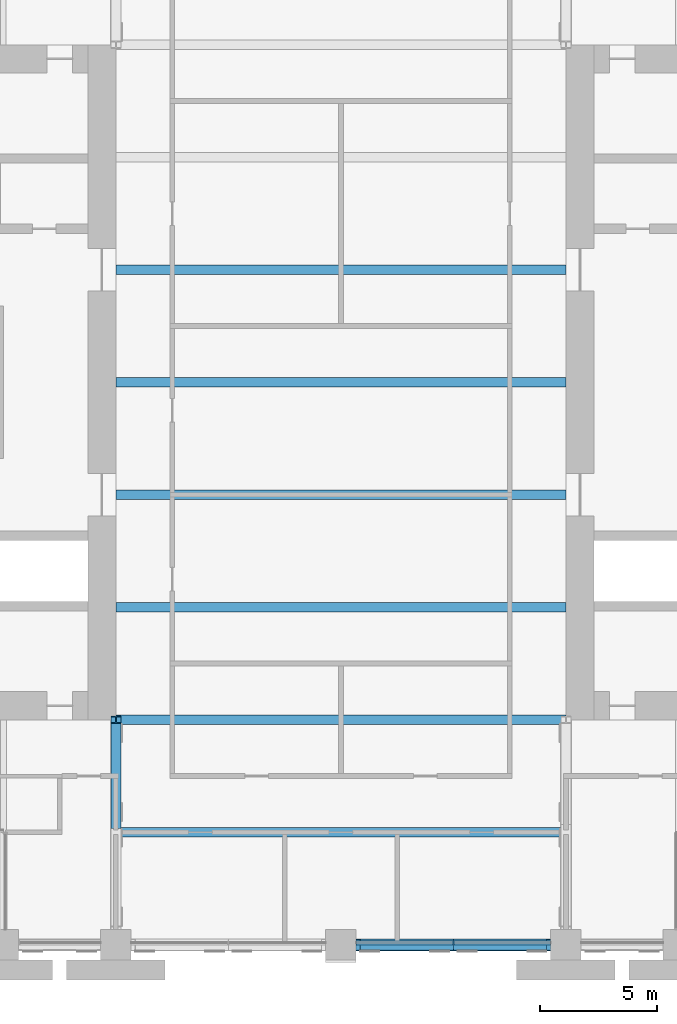
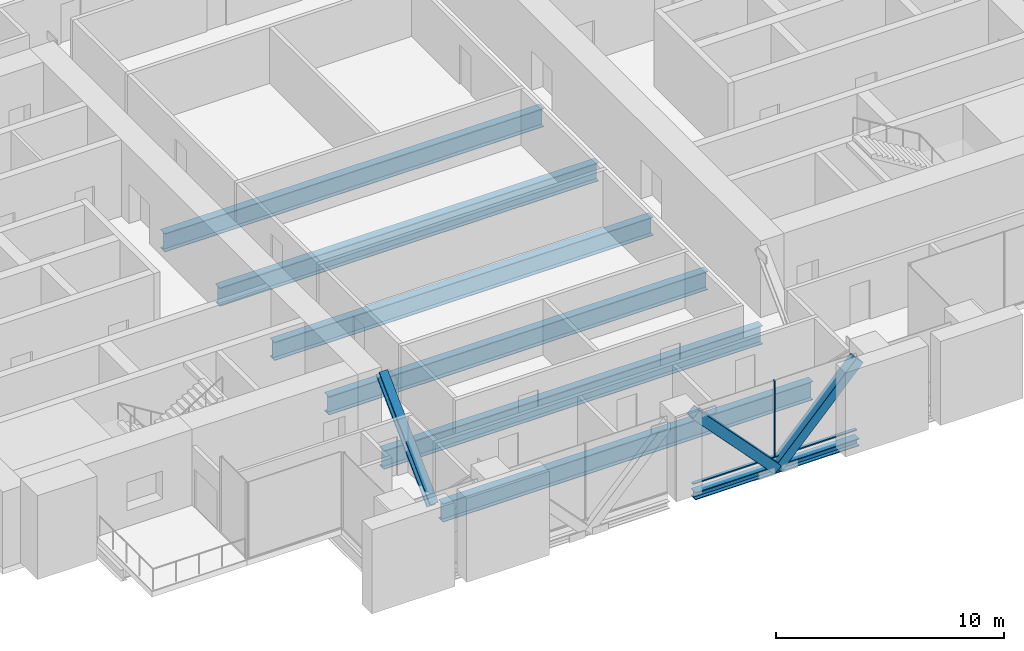
# One storey, part 3 of 15: 7 beams, 5 members, 1 element without a shape of its own.
"""IFC4 building model written with IfcOpenShell, lengths in metres."""

import ifcopenshell
import ifcopenshell.guid

model = None  # the IFC model being written
_history = None  # IfcOwnerHistory: only IFC2X3 demands one
_inside = {}  # id of a spatial element -> (the spatial element, [elements in it])
_under = {}  # id of a project, library or spatial element -> (it, [spatial elements below it])
_declared = {}  # id of a project -> (the project, [libraries it declares])
_typed = {}  # id of a type object -> (the type object, [elements of that type])
_made_of = {}  # id of a material, layer set ... -> (it, [elements and type objects made of it])


def new_model(schema):
    """Start an empty IFC model of exactly this schema.

    Asked for "IFC4X3", IfcOpenShell would pick the latest addendum, in which some entities
    have other attributes; the version numbers below select the first issue.
    IFC2X3 requires an IfcOwnerHistory on every rooted entity: one is made here for all.
    """
    global model, _history
    if schema == "IFC4X3":
        model = ifcopenshell.file(schema_version=(4, 3, 0, 0))
    else:
        model = ifcopenshell.file(schema=schema)
    _inside.clear()
    _under.clear()
    _declared.clear()
    _typed.clear()
    _made_of.clear()
    _history = None
    if model.schema == "IFC2X3":
        org = make("IfcOrganization", Name="unknown")
        user = make(
            "IfcPersonAndOrganization",
            ThePerson=make("IfcPerson", FamilyName="unknown"),
            TheOrganization=org,
        )
        app = make(
            "IfcApplication",
            ApplicationDeveloper=org,
            Version="unknown",
            ApplicationFullName="unknown",
            ApplicationIdentifier="unknown",
        )
        _history = make(
            "IfcOwnerHistory",
            OwningUser=user,
            OwningApplication=app,
            ChangeAction="ADDED",
            CreationDate=0,
        )
    return model


def make(cls, **values):
    """One entity of the class cls with the attributes given. An attribute that is None is left unset."""
    return model.create_entity(
        cls, **{name: value for name, value in values.items() if value is not None}
    )


def rooted(cls, **values):
    """An entity with a GlobalId (a new one), such as an element, a storey or a relation."""
    return make(cls, GlobalId=ifcopenshell.guid.new(), OwnerHistory=_history, **values)


def si_unit(unit_type, name, prefix=None):
    """IfcSIUnit, for example si_unit("LENGTHUNIT", "METRE", prefix="MILLI")."""
    return make("IfcSIUnit", UnitType=unit_type, Prefix=prefix, Name=name)


def assignment(units):
    """IfcUnitAssignment: the units of a project."""
    return None if units is None else make("IfcUnitAssignment", Units=units)


def point(xyz):
    """IfcCartesianPoint."""
    return None if xyz is None else make("IfcCartesianPoint", Coordinates=xyz)


def direction(xyz):
    """IfcDirection."""
    return None if xyz is None else make("IfcDirection", DirectionRatios=xyz)


def frame(location, z_axis=None, x_axis=None):
    """IfcAxis2Placement3D, a coordinate frame: its origin and axes. An axis left out is left unset."""
    return make(
        "IfcAxis2Placement3D",
        Location=point(location),
        Axis=direction(z_axis),
        RefDirection=direction(x_axis),
    )


def frame_2d(location, x_axis=None):
    """IfcAxis2Placement2D, a coordinate frame in the plane: its origin and x axis."""
    return make(
        "IfcAxis2Placement2D", Location=point(location), RefDirection=direction(x_axis)
    )


def origin():
    """The frame at (0, 0, 0) with its axes left unset."""
    return frame((0.0, 0.0, 0.0))


def origin_2d():
    """The frame at (0, 0) in the plane with its x axis left unset."""
    return frame_2d((0.0, 0.0))


def place(relative_to, where):
    """IfcLocalPlacement: puts the frame where relative to a parent placement (None: the world)."""
    return make(
        "IfcLocalPlacement", PlacementRelTo=relative_to, RelativePlacement=where
    )


def context(
    kind, dimensions, precision=None, world=None, true_north=None, identifier=None
):
    """IfcGeometricRepresentationContext, for example the 3D "Model" context."""
    return make(
        "IfcGeometricRepresentationContext",
        ContextIdentifier=identifier,
        ContextType=kind,
        CoordinateSpaceDimension=dimensions,
        Precision=precision,
        WorldCoordinateSystem=world,
        TrueNorth=true_north,
    )


def subcontext(parent, identifier, kind, view, scale=None):
    """IfcGeometricRepresentationSubContext, for example "Body" below "Model"."""
    return make(
        "IfcGeometricRepresentationSubContext",
        ContextIdentifier=identifier,
        ContextType=kind,
        ParentContext=parent,
        TargetScale=scale,
        TargetView=view,
    )


def project(units=None, contexts=None):
    """IfcProject with its units and contexts."""
    return rooted(
        "IfcProject",
        Name="project",
        RepresentationContexts=contexts,
        UnitsInContext=assignment(units),
    )


def spatial(cls, under=None, at=None, **own):
    """A site, building, storey or space (cls), placed at a placement, below another one or the project."""
    s = rooted(cls, ObjectPlacement=at, **own)
    if under is not None:
        _under.setdefault(under.id(), (under, []))[1].append(s)
    return s


def profile(cls, at=None, kind="AREA", **sizes):
    """A parametric profile (cls). Its sizes go by their IFC names, for example OverallWidth=200.0."""
    return make(cls, ProfileType=kind, Position=at, **sizes)


def rectangle(**sizes):
    """IfcRectangleProfileDef."""
    return profile("IfcRectangleProfileDef", **sizes)


def hollow_rectangle(**sizes):
    """IfcRectangleHollowProfileDef."""
    return profile("IfcRectangleHollowProfileDef", **sizes)


def i_section(**sizes):
    """IfcIShapeProfileDef."""
    return profile("IfcIShapeProfileDef", **sizes)


def extrude(swept, where, along, depth):
    """IfcExtrudedAreaSolid: the profile swept, set in the frame where, extruded along a direction by depth."""
    return make(
        "IfcExtrudedAreaSolid",
        SweptArea=swept,
        Position=where,
        ExtrudedDirection=direction(along),
        Depth=depth,
    )


def shape(context_of_items, identifier, shape_type, items):
    """IfcShapeRepresentation: the items that make up one representation, for example the "Body"."""
    return make(
        "IfcShapeRepresentation",
        ContextOfItems=context_of_items,
        RepresentationIdentifier=identifier,
        RepresentationType=shape_type,
        Items=items,
    )


def material(Name=None, Category=None):
    """IfcMaterial."""
    return make("IfcMaterial", Name=Name, Category=Category)


def material_profile(
    of_material, cross_section, Name=None, Category=None, Priority=None
):
    """IfcMaterialProfile: a cross section and its material."""
    return make(
        "IfcMaterialProfile",
        Name=Name,
        Material=of_material,
        Profile=cross_section,
        Priority=Priority,
        Category=Category,
    )


def profile_set(profiles, Name=None, composite=None):
    """IfcMaterialProfileSet."""
    return make(
        "IfcMaterialProfileSet",
        Name=Name,
        MaterialProfiles=profiles,
        CompositeProfile=composite,
    )


def made_of(thing, what):
    """Note that an element or type object is made of a material, layer set ...; save() writes the relation."""
    if what is not None:
        _made_of.setdefault(what.id(), (what, []))[1].append(thing)
    return thing


def type_object(cls, material=None, **own):
    """A type object (cls), such as IfcWallType, which elements share."""
    return made_of(rooted(cls, **own), material)


def element(
    cls,
    number,
    at=None,
    inside=None,
    cuts=None,
    type_object=None,
    material=None,
    context=None,
    identifier="Body",
    shape_type=None,
    held_by="IfcProductDefinitionShape",
    body=None,
    shapes=None,
    **own,
):
    """One element of the class cls, such as IfcWall. Its Tag is "e" and its number.

    at: its placement. inside: the storey or other place that contains it. cuts: it is an
    opening in that element (IfcRelVoidsElement). A single representation is given by context,
    identifier, shape_type and body (its items); several are given by shapes. held_by: the class
    of the entity that holds the representations. save() writes the other relations.
    """
    e = rooted(cls, Tag="e%d" % number, ObjectPlacement=at, **own)
    if body is not None:
        shapes = [shape(context, identifier, shape_type, body)]
    if shapes is not None:
        e.Representation = make(held_by, Representations=shapes)
    if inside is not None:
        _inside.setdefault(inside.id(), (inside, []))[1].append(e)
    if cuts is not None:
        rooted(
            "IfcRelVoidsElement", RelatingBuildingElement=cuts, RelatedOpeningElement=e
        )
    if type_object is not None:
        _typed.setdefault(type_object.id(), (type_object, []))[1].append(e)
    return made_of(e, material)


def aggregate(whole, parts):
    """IfcRelAggregates: a whole, such as a stair, and the parts it consists of."""
    return rooted("IfcRelAggregates", RelatingObject=whole, RelatedObjects=parts)


def save(model, path):
    """Write the relations noted so far, then the file.

    IfcRelAggregates (storeys below a building ...), IfcRelContainedInSpatialStructure (elements
    in a storey), IfcRelDefinesByType, IfcRelAssociatesMaterial and IfcRelDeclares: one each for
    every whole, place, type object, material and project.
    """
    for whole, parts in _under.values():
        aggregate(whole, parts)
    for where, things in _inside.values():
        rooted(
            "IfcRelContainedInSpatialStructure",
            RelatedElements=things,
            RelatingStructure=where,
        )
    for kind, things in _typed.values():
        rooted("IfcRelDefinesByType", RelatedObjects=things, RelatingType=kind)
    for what, things in _made_of.values():
        rooted("IfcRelAssociatesMaterial", RelatedObjects=things, RelatingMaterial=what)
    for by, libraries in _declared.values():
        rooted("IfcRelDeclares", RelatingContext=by, RelatedDefinitions=libraries)
    model.write(path)


model = new_model("IFC4")

# Units and contexts
model_context = context("Model", 3, precision=1e-05, world=origin(), true_north=direction((0.0, 1.0)))
body_context = subcontext(model_context, "Body", "Model", "MODEL_VIEW")
ifc_project = project(units=[si_unit("LENGTHUNIT", "METRE"), si_unit("AREAUNIT", "SQUARE_METRE"), si_unit("VOLUMEUNIT", "CUBIC_METRE"), si_unit("PLANEANGLEUNIT", "RADIAN"), si_unit("MASSUNIT", "GRAM", prefix="KILO")], contexts=[model_context])

# Site, building, storey
site_placement = place(None, origin())
site = spatial("IfcSite", under=ifc_project, at=site_placement, CompositionType="ELEMENT")
building_placement = place(site_placement, origin())
building = spatial("IfcBuilding", under=site, at=building_placement, Name="Baori Bourse Tower", CompositionType="ELEMENT")
storey_placement = place(building_placement, frame((0.0, 0.0, 87.0)))
storey = spatial("IfcBuildingStorey", under=building, at=storey_placement, Name="L19", CompositionType="ELEMENT", Elevation=87.0)

# Beam
ifc_material_1 = material(Name="Steel A913 Gr 65", Category="steel")
ifc_material_profile_1 = material_profile(ifc_material_1, i_section(OverallWidth=0.4013671875, OverallDepth=0.398681640625, WebThickness=0.02490234375, FlangeThickness=0.03955078125, at=origin_2d()), Name="W14x211")
ifc_profile_set_1 = profile_set([ifc_material_profile_1], Name="Steel A913 Gr 65")
beam_type_1 = type_object("IfcBeamType", Name="Belt truss chord W14x211", PredefinedType="BEAM", material=ifc_profile_set_1)
beam_1_placement = place(storey_placement, frame((29.449951171875, 0.0, -0.49951171875), z_axis=(1.0, 0.0, 0.0), x_axis=(0.0, 1.0, 0.0)))
element("IfcBeam", 1, at=beam_1_placement, inside=storey, type_object=beam_type_1, Name="Belt truss chord L19", PredefinedType="BEAM", context=body_context, shape_type="SweptSolid", body=[
    extrude(i_section(OverallWidth=0.4013671875, OverallDepth=0.398681640625, WebThickness=0.02490234375, FlangeThickness=0.03955078125, at=origin_2d()), origin(), (0.0, 0.0, 1.0), 8.300048828125),
])

# Members
ifc_material_2 = material(Name="Steel A500 Gr C", Category="steel")
ifc_material_profile_2 = material_profile(ifc_material_2, hollow_rectangle(XDim=0.508056640625, YDim=0.508056640625, WallThickness=0.0146484375, InnerFilletRadius=0.00732421875, OuterFilletRadius=0.022216796875, at=origin_2d()), Name="HSS20x20x5/8")
ifc_profile_set_2 = profile_set([ifc_material_profile_2], Name="Steel A500 Gr C")
member_type_1 = type_object("IfcMemberType", Name="Belt truss diagonal HSS20x20x5/8", PredefinedType="BRACE", material=ifc_profile_set_2)
member_1_placement = place(storey_placement, frame((29.449951171875, 0.0, 3.900634765625), z_axis=(0.686138623617, 0.0, -0.727470816721), x_axis=(0.0, 1.0, 0.0)))
element("IfcMember", 2, at=member_1_placement, inside=storey, type_object=member_type_1, Name="Belt truss diagonal L19", PredefinedType="BRACE", context=body_context, shape_type="SweptSolid", body=[
    extrude(hollow_rectangle(XDim=0.508056640625, YDim=0.508056640625, WallThickness=0.0146484375, InnerFilletRadius=0.00732421875, OuterFilletRadius=0.022216796875, at=origin_2d()), origin(), (0.0, 0.0, 1.0), 6.048583984375),
])
member_2_placement = place(storey_placement, frame((33.60009765625, 0.0, -0.49951171875), z_axis=(0.686117261825, 0.0, 0.727490964223), x_axis=(0.0, 1.0, 0.0)))
element("IfcMember", 3, at=member_2_placement, inside=storey, type_object=member_type_1, Name="Belt truss diagonal L19", PredefinedType="BRACE", context=body_context, shape_type="SweptSolid", body=[
    extrude(hollow_rectangle(XDim=0.508056640625, YDim=0.508056640625, WallThickness=0.0146484375, InnerFilletRadius=0.00732421875, OuterFilletRadius=0.022216796875, at=origin_2d()), origin(), (0.0, 0.0, 1.0), 6.04833984375),
])

# Curtain wall, members
ifc_material_3 = material(Name="Pale anodised aluminium", Category="aluminium")
curtain_wall_type = type_object("IfcCurtainWallType", Name="CW3 Curtain wall", PredefinedType="NOTDEFINED", material=ifc_material_3)
curtain_wall_placement = place(storey_placement, origin())
curtain_wall = element("IfcCurtainWall", 4, at=curtain_wall_placement, inside=storey, type_object=curtain_wall_type, Name="Curtain wall CW3 L19 11", PredefinedType="NOTDEFINED")
ifc_material_4 = material(Name="Pale anodised aluminium", Category="aluminium")
ifc_material_profile_3 = material_profile(ifc_material_4, rectangle(XDim=0.159912109375, YDim=0.050048828125, at=origin_2d()), Name="Mullion 50x160")
ifc_profile_set_3 = profile_set([ifc_material_profile_3], Name="Pale anodised aluminium")
member_type_2 = type_object("IfcMemberType", Name="CW3 Curtain wall mullion", PredefinedType="MULLION", material=ifc_profile_set_3)
member_3_placement = place(storey_placement, frame((33.60009765625, 0.080078125, 0.06005859375), z_axis=(0.0, 0.0, 1.0), x_axis=(0.0, 1.0, 0.0)))
member_3 = element("IfcMember", 5, at=member_3_placement, type_object=member_type_2, Name="Curtain wall CW3 mullion", PredefinedType="MULLION", context=body_context, shape_type="SweptSolid", body=[
    extrude(rectangle(XDim=0.159912109375, YDim=0.050048828125, at=origin_2d()), origin(), (0.0, 0.0, 1.0), 4.0400390625),
])
ifc_material_5 = material(Name="Pale anodised aluminium", Category="aluminium")
ifc_material_profile_4 = material_profile(ifc_material_5, rectangle(XDim=0.159912109375, YDim=0.06005859375, at=origin_2d()), Name="Transom 60x160")
ifc_profile_set_4 = profile_set([ifc_material_profile_4], Name="Pale anodised aluminium")
member_type_3 = type_object("IfcMemberType", Name="CW3 Curtain wall transom", PredefinedType="USERDEFINED", material=ifc_profile_set_4)
member_4_placement = place(storey_placement, frame((29.449951171875, 0.080078125, 0.030029296875), z_axis=(1.0, 0.0, 0.0), x_axis=(0.0, 1.0, 0.0)))
member_4 = element("IfcMember", 6, at=member_4_placement, type_object=member_type_3, Name="Curtain wall CW3 sill rail", ObjectType="TRANSOM", PredefinedType="USERDEFINED", context=body_context, shape_type="SweptSolid", body=[
    extrude(rectangle(XDim=0.159912109375, YDim=0.06005859375, at=origin_2d()), origin(), (0.0, 0.0, 1.0), 8.300048828125),
])
aggregate(curtain_wall, [member_4, member_3])

# Beams
ifc_material_6 = material(Name="Steel A992 Gr 50", Category="steel")
ifc_material_profile_5 = material_profile(ifc_material_6, i_section(OverallWidth=0.4013671875, OverallDepth=0.990478515625, WebThickness=0.0166015625, FlangeThickness=0.031005859375, at=origin_2d()), Name="W40x215")
ifc_profile_set_5 = profile_set([ifc_material_profile_5], Name="Steel A992 Gr 50")
beam_type_2 = type_object("IfcBeamType", Name="Floor beam W40x215", PredefinedType="BEAM", material=ifc_profile_set_5)
beam_2_placement = place(storey_placement, frame((19.42724609375, 4.800048828125, -0.79541015625), z_axis=(1.0, 0.0, 0.0), x_axis=(0.0, 1.0, 0.0)))
element("IfcBeam", 7, at=beam_2_placement, inside=storey, type_object=beam_type_2, Name="Floor beam L19", PredefinedType="BEAM", context=body_context, shape_type="SweptSolid", body=[
    extrude(i_section(OverallWidth=0.4013671875, OverallDepth=0.990478515625, WebThickness=0.0166015625, FlangeThickness=0.031005859375, at=origin_2d()), origin(), (0.0, 0.0, 1.0), 18.745361328125),
])
for number, where, z_axis, x_axis, name in (
    (8, (19.199951171875, 9.60009765625, -0.79541015625), (1.0, 0.0, 0.0), (0.0, 1.0, 0.0), "Floor beam L19"),
    (9, (19.199951171875, 14.39990234375, -0.79541015625), (1.0, 0.0, 0.0), (0.0, 1.0, 0.0), "Floor beam L19"),
    (10, (19.199951171875, 19.199951171875, -0.79541015625), (1.0, 0.0, 0.0), (0.0, 1.0, 0.0), "Floor beam L19"),
    (11, (19.199951171875, 24.0, -0.79541015625), (1.0, 0.0, 0.0), (0.0, 1.0, 0.0), "Floor beam L19"),
    (12, (19.199951171875, 28.800048828125, -0.79541015625), (1.0, 0.0, 0.0), (0.0, 1.0, 0.0), "Floor beam L19"),
):
    element("IfcBeam", number, at=place(storey_placement, frame(where, z_axis=z_axis, x_axis=x_axis)), inside=storey, type_object=beam_type_2, Name=name, PredefinedType="BEAM", context=body_context, shape_type="SweptSolid", body=[
        extrude(i_section(OverallWidth=0.4013671875, OverallDepth=0.990478515625, WebThickness=0.0166015625, FlangeThickness=0.031005859375, at=origin_2d()), origin(), (0.0, 0.0, 1.0), 19.199951171875),
    ])

# Member
ifc_material_7 = material(Name="Steel A913 Gr 65", Category="steel")
ifc_material_profile_6 = material_profile(ifc_material_7, i_section(OverallWidth=0.419189453125, OverallDepth=0.45458984375, WebThickness=0.042236328125, FlangeThickness=0.067626953125, at=origin_2d()), Name="W14x370")
ifc_profile_set_6 = profile_set([ifc_material_profile_6], Name="Steel A913 Gr 65")
member_type_4 = type_object("IfcMemberType", Name="Outrigger truss diagonal W14x370", PredefinedType="BRACE", material=ifc_profile_set_6)
member_5_placement = place(storey_placement, frame((19.199951171875, 5.125, -0.58447265625), z_axis=(0.0, 0.713072298636, 0.701090505511), x_axis=(-1.0, 0.0, 0.0)))
element("IfcMember", 13, at=member_5_placement, inside=storey, type_object=member_type_4, Name="Outrigger truss diagonal L19", PredefinedType="BRACE", context=body_context, shape_type="SweptSolid", body=[
    extrude(i_section(OverallWidth=0.419189453125, OverallDepth=0.45458984375, WebThickness=0.042236328125, FlangeThickness=0.067626953125, at=origin_2d()), origin(), (0.0, 0.0, 1.0), 6.27587890625),
])

save(model, "model.ifc")
